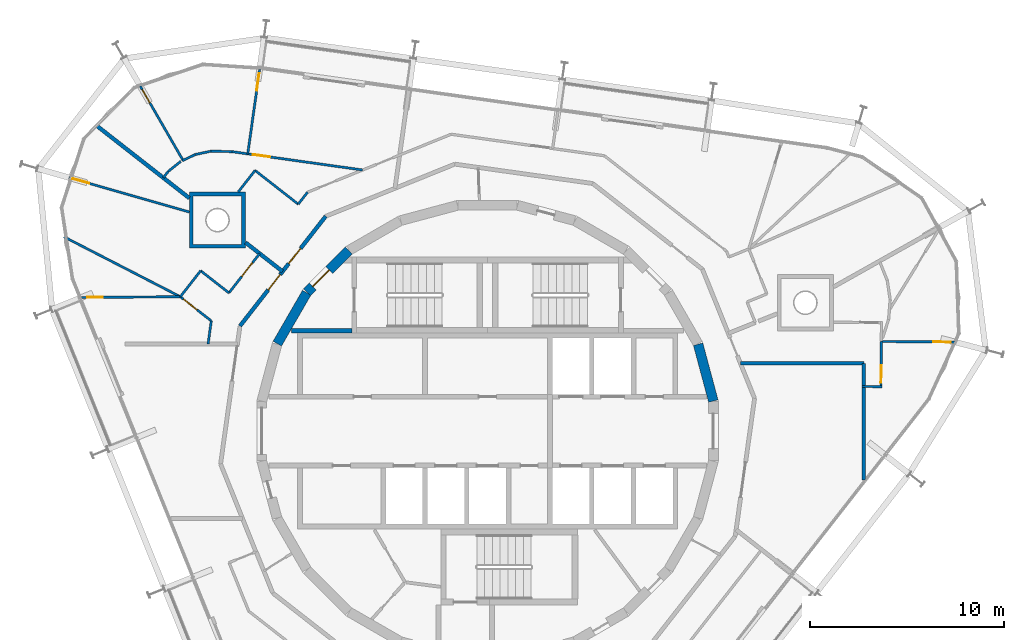
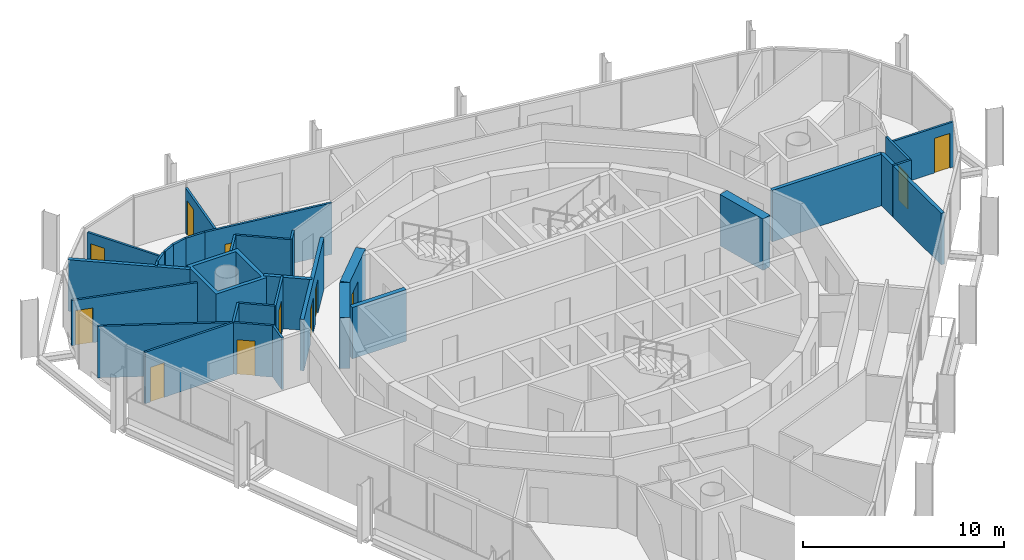
# One storey, part 12 of 15: 32 walls, 12 doors, 12 openings.
"""IFC4 building model written with IfcOpenShell, lengths in metres."""

import ifcopenshell
import ifcopenshell.guid

model = None  # the IFC model being written
_history = None  # IfcOwnerHistory: only IFC2X3 demands one
_inside = {}  # id of a spatial element -> (the spatial element, [elements in it])
_under = {}  # id of a project, library or spatial element -> (it, [spatial elements below it])
_declared = {}  # id of a project -> (the project, [libraries it declares])
_typed = {}  # id of a type object -> (the type object, [elements of that type])
_made_of = {}  # id of a material, layer set ... -> (it, [elements and type objects made of it])


def new_model(schema):
    """Start an empty IFC model of exactly this schema.

    Asked for "IFC4X3", IfcOpenShell would pick the latest addendum, in which some entities
    have other attributes; the version numbers below select the first issue.
    IFC2X3 requires an IfcOwnerHistory on every rooted entity: one is made here for all.
    """
    global model, _history
    if schema == "IFC4X3":
        model = ifcopenshell.file(schema_version=(4, 3, 0, 0))
    else:
        model = ifcopenshell.file(schema=schema)
    _inside.clear()
    _under.clear()
    _declared.clear()
    _typed.clear()
    _made_of.clear()
    _history = None
    if model.schema == "IFC2X3":
        org = make("IfcOrganization", Name="unknown")
        user = make(
            "IfcPersonAndOrganization",
            ThePerson=make("IfcPerson", FamilyName="unknown"),
            TheOrganization=org,
        )
        app = make(
            "IfcApplication",
            ApplicationDeveloper=org,
            Version="unknown",
            ApplicationFullName="unknown",
            ApplicationIdentifier="unknown",
        )
        _history = make(
            "IfcOwnerHistory",
            OwningUser=user,
            OwningApplication=app,
            ChangeAction="ADDED",
            CreationDate=0,
        )
    return model


def make(cls, **values):
    """One entity of the class cls with the attributes given. An attribute that is None is left unset."""
    return model.create_entity(
        cls, **{name: value for name, value in values.items() if value is not None}
    )


def rooted(cls, **values):
    """An entity with a GlobalId (a new one), such as an element, a storey or a relation."""
    return make(cls, GlobalId=ifcopenshell.guid.new(), OwnerHistory=_history, **values)


def si_unit(unit_type, name, prefix=None):
    """IfcSIUnit, for example si_unit("LENGTHUNIT", "METRE", prefix="MILLI")."""
    return make("IfcSIUnit", UnitType=unit_type, Prefix=prefix, Name=name)


def assignment(units):
    """IfcUnitAssignment: the units of a project."""
    return None if units is None else make("IfcUnitAssignment", Units=units)


def point(xyz):
    """IfcCartesianPoint."""
    return None if xyz is None else make("IfcCartesianPoint", Coordinates=xyz)


def direction(xyz):
    """IfcDirection."""
    return None if xyz is None else make("IfcDirection", DirectionRatios=xyz)


def frame(location, z_axis=None, x_axis=None):
    """IfcAxis2Placement3D, a coordinate frame: its origin and axes. An axis left out is left unset."""
    return make(
        "IfcAxis2Placement3D",
        Location=point(location),
        Axis=direction(z_axis),
        RefDirection=direction(x_axis),
    )


def frame_2d(location, x_axis=None):
    """IfcAxis2Placement2D, a coordinate frame in the plane: its origin and x axis."""
    return make(
        "IfcAxis2Placement2D", Location=point(location), RefDirection=direction(x_axis)
    )


def origin():
    """The frame at (0, 0, 0) with its axes left unset."""
    return frame((0.0, 0.0, 0.0))


def place(relative_to, where):
    """IfcLocalPlacement: puts the frame where relative to a parent placement (None: the world)."""
    return make(
        "IfcLocalPlacement", PlacementRelTo=relative_to, RelativePlacement=where
    )


def context(
    kind, dimensions, precision=None, world=None, true_north=None, identifier=None
):
    """IfcGeometricRepresentationContext, for example the 3D "Model" context."""
    return make(
        "IfcGeometricRepresentationContext",
        ContextIdentifier=identifier,
        ContextType=kind,
        CoordinateSpaceDimension=dimensions,
        Precision=precision,
        WorldCoordinateSystem=world,
        TrueNorth=true_north,
    )


def subcontext(parent, identifier, kind, view, scale=None):
    """IfcGeometricRepresentationSubContext, for example "Body" below "Model"."""
    return make(
        "IfcGeometricRepresentationSubContext",
        ContextIdentifier=identifier,
        ContextType=kind,
        ParentContext=parent,
        TargetScale=scale,
        TargetView=view,
    )


def project(units=None, contexts=None):
    """IfcProject with its units and contexts."""
    return rooted(
        "IfcProject",
        Name="project",
        RepresentationContexts=contexts,
        UnitsInContext=assignment(units),
    )


def spatial(cls, under=None, at=None, **own):
    """A site, building, storey or space (cls), placed at a placement, below another one or the project."""
    s = rooted(cls, ObjectPlacement=at, **own)
    if under is not None:
        _under.setdefault(under.id(), (under, []))[1].append(s)
    return s


def polyline(points):
    """IfcPolyline through the points."""
    return make("IfcPolyline", Points=[point(p) for p in points])


def profile(cls, at=None, kind="AREA", **sizes):
    """A parametric profile (cls). Its sizes go by their IFC names, for example OverallWidth=200.0."""
    return make(cls, ProfileType=kind, Position=at, **sizes)


def rectangle(**sizes):
    """IfcRectangleProfileDef."""
    return profile("IfcRectangleProfileDef", **sizes)


def outline(outer, holes=None, kind="AREA"):
    """IfcArbitraryClosedProfileDef: a profile drawn as a closed curve; with holes, ...WithVoids."""
    if holes is None:
        return make("IfcArbitraryClosedProfileDef", ProfileType=kind, OuterCurve=outer)
    return make(
        "IfcArbitraryProfileDefWithVoids",
        ProfileType=kind,
        OuterCurve=outer,
        InnerCurves=holes,
    )


def extrude(swept, where, along, depth):
    """IfcExtrudedAreaSolid: the profile swept, set in the frame where, extruded along a direction by depth."""
    return make(
        "IfcExtrudedAreaSolid",
        SweptArea=swept,
        Position=where,
        ExtrudedDirection=direction(along),
        Depth=depth,
    )


def shape(context_of_items, identifier, shape_type, items):
    """IfcShapeRepresentation: the items that make up one representation, for example the "Body"."""
    return make(
        "IfcShapeRepresentation",
        ContextOfItems=context_of_items,
        RepresentationIdentifier=identifier,
        RepresentationType=shape_type,
        Items=items,
    )


def material(Name=None, Category=None):
    """IfcMaterial."""
    return make("IfcMaterial", Name=Name, Category=Category)


def layer(
    of_material, thickness, ventilated=None, Name=None, Category=None, Priority=None
):
    """IfcMaterialLayer: one layer of a wall or slab, of a material (None: an air gap)."""
    return make(
        "IfcMaterialLayer",
        Material=of_material,
        LayerThickness=thickness,
        IsVentilated=ventilated,
        Name=Name,
        Category=Category,
        Priority=Priority,
    )


def layer_set(layers, Name=None):
    """IfcMaterialLayerSet."""
    return make("IfcMaterialLayerSet", MaterialLayers=layers, LayerSetName=Name)


def made_of(thing, what):
    """Note that an element or type object is made of a material, layer set ...; save() writes the relation."""
    if what is not None:
        _made_of.setdefault(what.id(), (what, []))[1].append(thing)
    return thing


def type_object(cls, material=None, **own):
    """A type object (cls), such as IfcWallType, which elements share."""
    return made_of(rooted(cls, **own), material)


def element(
    cls,
    number,
    at=None,
    inside=None,
    cuts=None,
    type_object=None,
    material=None,
    context=None,
    identifier="Body",
    shape_type=None,
    held_by="IfcProductDefinitionShape",
    body=None,
    shapes=None,
    **own,
):
    """One element of the class cls, such as IfcWall. Its Tag is "e" and its number.

    at: its placement. inside: the storey or other place that contains it. cuts: it is an
    opening in that element (IfcRelVoidsElement). A single representation is given by context,
    identifier, shape_type and body (its items); several are given by shapes. held_by: the class
    of the entity that holds the representations. save() writes the other relations.
    """
    e = rooted(cls, Tag="e%d" % number, ObjectPlacement=at, **own)
    if body is not None:
        shapes = [shape(context, identifier, shape_type, body)]
    if shapes is not None:
        e.Representation = make(held_by, Representations=shapes)
    if inside is not None:
        _inside.setdefault(inside.id(), (inside, []))[1].append(e)
    if cuts is not None:
        rooted(
            "IfcRelVoidsElement", RelatingBuildingElement=cuts, RelatedOpeningElement=e
        )
    if type_object is not None:
        _typed.setdefault(type_object.id(), (type_object, []))[1].append(e)
    return made_of(e, material)


def fill(opening, filler):
    """IfcRelFillsElement: the door or window that sits in an opening."""
    return rooted(
        "IfcRelFillsElement",
        RelatingOpeningElement=opening,
        RelatedBuildingElement=filler,
    )


def aggregate(whole, parts):
    """IfcRelAggregates: a whole, such as a stair, and the parts it consists of."""
    return rooted("IfcRelAggregates", RelatingObject=whole, RelatedObjects=parts)


def save(model, path):
    """Write the relations noted so far, then the file.

    IfcRelAggregates (storeys below a building ...), IfcRelContainedInSpatialStructure (elements
    in a storey), IfcRelDefinesByType, IfcRelAssociatesMaterial and IfcRelDeclares: one each for
    every whole, place, type object, material and project.
    """
    for whole, parts in _under.values():
        aggregate(whole, parts)
    for where, things in _inside.values():
        rooted(
            "IfcRelContainedInSpatialStructure",
            RelatedElements=things,
            RelatingStructure=where,
        )
    for kind, things in _typed.values():
        rooted("IfcRelDefinesByType", RelatedObjects=things, RelatingType=kind)
    for what, things in _made_of.values():
        rooted("IfcRelAssociatesMaterial", RelatedObjects=things, RelatingMaterial=what)
    for by, libraries in _declared.values():
        rooted("IfcRelDeclares", RelatingContext=by, RelatedDefinitions=libraries)
    model.write(path)


model = new_model("IFC4")

# Units and contexts
model_context = context("Model", 3, precision=1e-05, world=origin(), true_north=direction((0.0, 1.0)))
body_context = subcontext(model_context, "Body", "Model", "MODEL_VIEW")
ifc_project = project(units=[si_unit("LENGTHUNIT", "METRE"), si_unit("AREAUNIT", "SQUARE_METRE"), si_unit("VOLUMEUNIT", "CUBIC_METRE"), si_unit("PLANEANGLEUNIT", "RADIAN"), si_unit("MASSUNIT", "GRAM", prefix="KILO")], contexts=[model_context])

# Site, building, storey
site_placement = place(None, origin())
site = spatial("IfcSite", under=ifc_project, at=site_placement, CompositionType="ELEMENT")
building_placement = place(site_placement, origin())
building = spatial("IfcBuilding", under=site, at=building_placement, Name="Spindle Arch Residences", CompositionType="ELEMENT")
storey_placement = place(building_placement, frame((0.0, 0.0, 336.5)))
storey = spatial("IfcBuildingStorey", under=building, at=storey_placement, Name="L86", CompositionType="ELEMENT", Elevation=336.5)

# Wall
ifc_material_1 = material(Name="Concrete C50/60", Category="concrete")
ifc_layer_1 = layer(ifc_material_1, 0.5)
ifc_layer_set_1 = layer_set([ifc_layer_1], Name="Core outline wall 500")
wall_type_1 = type_object("IfcWallType", Name="Core outline wall 500", PredefinedType="SHEAR", material=ifc_layer_set_1)
wall_1_placement = place(storey_placement, frame((11.642822265625, 1.5498046875, 0.0), z_axis=(0.0, 0.0, 1.0), x_axis=(-0.258734743916, 0.965948410781, 0.0)))
element("IfcWall", 1, at=wall_1_placement, inside=storey, type_object=wall_type_1, Name="Core outline wall 7", PredefinedType="SHEAR", context=body_context, shape_type="SweptSolid", body=[
    extrude(rectangle(XDim=3.03271484375, YDim=0.5, at=frame_2d((1.516357421875, 0.0))), origin(), (0.0, 0.0, 1.0), 3.1201171875),
])

# Wall, opening, door
wall_2_placement = place(storey_placement, frame((-7.163818359375, 9.30810546875, 0.0), z_axis=(0.0, 0.0, 1.0), x_axis=(-0.707106781187, -0.707106781187, 0.0)))
wall_2 = element("IfcWall", 2, at=wall_2_placement, inside=storey, type_object=wall_type_1, Name="Core outline wall 15", PredefinedType="SHEAR", context=body_context, shape_type="SweptSolid", body=[
    extrude(rectangle(XDim=3.032470703125, YDim=0.5, at=frame_2d((1.51611328125, 0.0))), origin(), (0.0, 0.0, 1.0), 3.1201171875),
])
opening_1_placement = place(wall_2_placement, frame((1.416259765625, 0.0, 0.0)))
opening_1 = element("IfcOpeningElement", 3, at=opening_1_placement, cuts=wall_2, Name="Opening R9A1-AD02", PredefinedType="OPENING", context=body_context, shape_type="SweptSolid", body=[
    extrude(rectangle(XDim=1.199951171875, YDim=2.10009765625, at=frame_2d((0.60009765625, 1.050048828125))), frame((0.0, 0.260009765625, 0.0), z_axis=(0.0, -1.0, 0.0), x_axis=(1.0, 0.0, 0.0)), (0.0, 0.0, 1.0), 0.52001953125),
])
ifc_material_2 = material(Name="Steel, fire-resisting door", Category="steel")
door_type_1 = type_object("IfcDoorType", Name="Stair airlock door 1200x2100", OperationType="SINGLE_SWING_LEFT", PredefinedType="DOOR", material=ifc_material_2)
door_1_placement = place(opening_1_placement, origin())
door_1 = element("IfcDoor", 4, at=door_1_placement, inside=storey, type_object=door_type_1, Name="Stair airlock door R9A1-AD02", OperationType="SINGLE_SWING_RIGHT", OverallHeight=2.10009765625, OverallWidth=1.199951171875, PredefinedType="DOOR", context=body_context, shape_type="SweptSolid", body=[
    extrude(rectangle(XDim=1.199951171875, YDim=2.10009765625, at=frame_2d((0.60009765625, 1.050048828125))), frame((0.0, 0.02490234375, 0.0), z_axis=(0.0, -1.0, 0.0), x_axis=(1.0, 0.0, 0.0)), (0.0, 0.0, 1.0), 0.050048828125),
])
fill(opening_1, door_1)

# Wall
wall_3_placement = place(storey_placement, frame((-9.32861328125, 7.13671875, 0.0), z_axis=(0.0, 0.0, 1.0), x_axis=(-0.500087131594, -0.865975092491, 0.0)))
element("IfcWall", 5, at=wall_3_placement, inside=storey, type_object=wall_type_1, Name="Core outline wall 16", PredefinedType="SHEAR", context=body_context, shape_type="SweptSolid", body=[
    extrude(rectangle(XDim=3.03271484375, YDim=0.5, at=frame_2d((1.516357421875, 0.0))), origin(), (0.0, 0.0, 1.0), 3.1201171875),
])

# Wall, openings, doors
ifc_material_3 = material(Name="Calcium silicate block, plastered")
ifc_layer_2 = layer(ifc_material_3, 0.199951171875)
ifc_layer_set_2 = layer_set([ifc_layer_2], Name="Corridor wall 200")
wall_type_2 = type_object("IfcWallType", Name="Corridor wall 200", PredefinedType="STANDARD", material=ifc_layer_set_2)
wall_4_placement = place(storey_placement, frame((-8.348876953125, 11.0791015625, 0.0), z_axis=(0.0, 0.0, 1.0), x_axis=(-0.615669112324, -0.78800478687, 0.0)))
wall_4 = element("IfcWall", 6, at=wall_4_placement, inside=storey, type_object=wall_type_2, Name="Corridor wall R9A1-W012", PredefinedType="STANDARD", context=body_context, shape_type="SweptSolid", body=[
    extrude(rectangle(XDim=7.18115234375, YDim=0.199951171875, at=frame_2d((3.590576171875, 0.0))), origin(), (0.0, 0.0, 1.0), 3.1201171875),
])
opening_2_placement = place(wall_4_placement, frame((2.10009765625, 0.0, 0.0)))
opening_2 = element("IfcOpeningElement", 7, at=opening_2_placement, cuts=wall_4, Name="Opening R9A1-FD03", PredefinedType="OPENING", context=body_context, shape_type="SweptSolid", body=[
    extrude(rectangle(XDim=1.0, YDim=2.10009765625, at=frame_2d((0.5, 1.050048828125))), frame((0.0, 0.10986328125, 0.0), z_axis=(0.0, -1.0, 0.0), x_axis=(1.0, 0.0, 0.0)), (0.0, 0.0, 1.0), 0.219970703125),
])
opening_3_placement = place(wall_4_placement, frame((3.811279296875, 0.0, 0.0)))
opening_3 = element("IfcOpeningElement", 8, at=opening_3_placement, cuts=wall_4, Name="Opening R9A1-FD04", PredefinedType="OPENING", context=body_context, shape_type="SweptSolid", body=[
    extrude(rectangle(XDim=1.0, YDim=2.10009765625, at=frame_2d((0.5, 1.050048828125))), frame((0.0, 0.10986328125, 0.0), z_axis=(0.0, -1.0, 0.0), x_axis=(1.0, 0.0, 0.0)), (0.0, 0.0, 1.0), 0.219970703125),
])
ifc_material_4 = material(Name="Timber, fire-resisting door set", Category="wood")
door_type_2 = type_object("IfcDoorType", Name="Flat entrance door 1000x2100", OperationType="NOTDEFINED", PredefinedType="DOOR", material=ifc_material_4)
door_2_placement = place(opening_2_placement, origin())
door_2 = element("IfcDoor", 9, at=door_2_placement, inside=storey, type_object=door_type_2, Name="Flat entrance door R9A1-FD03", OperationType="SINGLE_SWING_RIGHT", OverallHeight=2.10009765625, OverallWidth=1.0, PredefinedType="DOOR", context=body_context, shape_type="SweptSolid", body=[
    extrude(rectangle(XDim=1.0, YDim=2.10009765625, at=frame_2d((0.5, 1.050048828125))), frame((0.0, 0.02490234375, 0.0), z_axis=(0.0, -1.0, 0.0), x_axis=(1.0, 0.0, 0.0)), (0.0, 0.0, 1.0), 0.050048828125),
])
fill(opening_2, door_2)
door_3_placement = place(opening_3_placement, origin())
door_3 = element("IfcDoor", 10, at=door_3_placement, inside=storey, type_object=door_type_2, Name="Flat entrance door R9A1-FD04", OperationType="SINGLE_SWING_LEFT", OverallHeight=2.10009765625, OverallWidth=1.0, PredefinedType="DOOR", context=body_context, shape_type="SweptSolid", body=[
    extrude(rectangle(XDim=1.0, YDim=2.10009765625, at=frame_2d((0.5, 1.050048828125))), frame((0.0, 0.02490234375, 0.0), z_axis=(0.0, -1.0, 0.0), x_axis=(1.0, 0.0, 0.0)), (0.0, 0.0, 1.0), 0.050048828125),
])
fill(opening_3, door_3)

# Walls
ifc_material_5 = material(Name="Calcium silicate block, plastered")
ifc_layer_3 = layer(ifc_material_5, 0.199951171875)
ifc_layer_set_3 = layer_set([ifc_layer_3], Name="Fire-lift lobby bay wall 200")
wall_type_3 = type_object("IfcWallType", Name="Fire-lift lobby bay wall 200", PredefinedType="STANDARD", material=ifc_layer_set_3)
wall_5_placement = place(storey_placement, frame((19.39990234375, -2.519287109375, 0.0), z_axis=(0.0, 0.0, 1.0), x_axis=(0.0, 1.0, 0.0)))
element("IfcWall", 11, at=wall_5_placement, inside=storey, type_object=wall_type_3, Name="Fire-lift lobby bay wall R9A1-W019", PredefinedType="STANDARD", context=body_context, shape_type="SweptSolid", body=[
    extrude(rectangle(XDim=6.019287109375, YDim=0.199951171875, at=frame_2d((3.009765625, 0.0))), origin(), (0.0, 0.0, 1.0), 3.1201171875),
])
wall_6_placement = place(storey_placement, frame((19.39990234375, 3.5, 0.0), z_axis=(0.0, 0.0, 1.0), x_axis=(-1.0, 0.0, 0.0)))
element("IfcWall", 12, at=wall_6_placement, inside=storey, type_object=wall_type_3, Name="Fire-lift lobby bay wall R9A1-W020", PredefinedType="STANDARD", context=body_context, shape_type="SweptSolid", body=[
    extrude(rectangle(XDim=6.361572265625, YDim=0.199951171875, at=frame_2d((3.1806640625, 0.0))), origin(), (0.0, 0.0, 1.0), 3.1201171875),
])
ifc_material_6 = material(Name="Plasterboard on steel studs", Category="steel")
ifc_layer_4 = layer(ifc_material_6, 0.1201171875)
ifc_layer_set_4 = layer_set([ifc_layer_4], Name="Flat partition 120")
wall_type_4 = type_object("IfcWallType", Name="Flat partition 120", PredefinedType="PARTITIONING", material=ifc_layer_set_4)
wall_7_placement = place(storey_placement, frame((19.300048828125, 2.302001953125, 0.0), z_axis=(0.0, 0.0, 1.0), x_axis=(0.999958506341, -0.009109643015, 0.0)))
element("IfcWall", 13, at=wall_7_placement, inside=storey, type_object=wall_type_4, Name="Flat partition R9A1-W030", PredefinedType="PARTITIONING", context=body_context, shape_type="SweptSolid", body=[
    extrude(rectangle(XDim=1.045166015625, YDim=0.1201171875, at=frame_2d((0.5224609375, 0.0))), origin(), (0.0, 0.0, 1.0), 3.1201171875),
])

# Wall, opening, door
wall_8_placement = place(storey_placement, frame((20.285400390625, 2.29296875, 0.0), z_axis=(0.0, 0.0, 1.0), x_axis=(0.008900171034, 0.999960392693, 0.0)))
wall_8 = element("IfcWall", 14, at=wall_8_placement, inside=storey, type_object=wall_type_4, Name="Flat partition R9A1-W031", PredefinedType="PARTITIONING", context=body_context, shape_type="SweptSolid", body=[
    extrude(rectangle(XDim=2.33154296875, YDim=0.1201171875, at=frame_2d((1.165771484375, 0.0))), origin(), (0.0, 0.0, 1.0), 3.1201171875),
])
opening_4_placement = place(wall_8_placement, frame((0.199951171875, 0.0, 0.0)))
opening_4 = element("IfcOpeningElement", 15, at=opening_4_placement, cuts=wall_8, Name="Opening R9A1-ID01", PredefinedType="OPENING", context=body_context, shape_type="SweptSolid", body=[
    extrude(rectangle(XDim=0.89990234375, YDim=2.10009765625, at=frame_2d((0.449951171875, 1.050048828125))), frame((0.0, 0.070068359375, 0.0), z_axis=(0.0, -1.0, 0.0), x_axis=(1.0, 0.0, 0.0)), (0.0, 0.0, 1.0), 0.14013671875),
])
ifc_material_7 = material(Name="Timber door set", Category="wood")
door_type_3 = type_object("IfcDoorType", Name="Room door 900x2100", OperationType="NOTDEFINED", PredefinedType="DOOR", material=ifc_material_7)
door_4_placement = place(opening_4_placement, origin())
door_4 = element("IfcDoor", 16, at=door_4_placement, inside=storey, type_object=door_type_3, Name="Room door R9A1-ID01", OperationType="SINGLE_SWING_RIGHT", OverallHeight=2.10009765625, OverallWidth=0.89990234375, PredefinedType="DOOR", context=body_context, shape_type="SweptSolid", body=[
    extrude(rectangle(XDim=0.89990234375, YDim=2.10009765625, at=frame_2d((0.449951171875, 1.050048828125))), frame((0.0, 0.02490234375, 0.0), z_axis=(0.0, -1.0, 0.0), x_axis=(1.0, 0.0, 0.0)), (0.0, 0.0, 1.0), 0.050048828125),
])
fill(opening_4, door_4)

# Walls
wall_9_placement = place(storey_placement, frame((-9.283447265625, 12.3193359375, 0.0), z_axis=(0.0, 0.0, 1.0), x_axis=(-0.615735018346, -0.787953289975, 0.0)))
element("IfcWall", 17, at=wall_9_placement, inside=storey, type_object=wall_type_4, Name="Flat partition R9A1-W052", PredefinedType="PARTITIONING", context=body_context, shape_type="SweptSolid", body=[
    extrude(rectangle(XDim=0.781005859375, YDim=0.1201171875, at=frame_2d((0.390625, 0.0))), origin(), (0.0, 0.0, 1.0), 3.1201171875),
])
wall_10_placement = place(storey_placement, frame((-9.764404296875, 11.703857421875, 0.0), z_axis=(0.0, 0.0, 1.0), x_axis=(-0.787996873396, 0.615679240772, 0.0)))
element("IfcWall", 18, at=wall_10_placement, inside=storey, type_object=wall_type_4, Name="Flat partition R9A1-W053", PredefinedType="PARTITIONING", context=body_context, shape_type="SweptSolid", body=[
    extrude(rectangle(XDim=2.826416015625, YDim=0.1201171875, at=frame_2d((1.4130859375, 0.0))), origin(), (0.0, 0.0, 1.0), 3.1201171875),
])
wall_11_placement = place(storey_placement, frame((-11.99169921875, 13.444091796875, 0.0), z_axis=(0.0, 0.0, 1.0), x_axis=(-0.615593635541, -0.788063751153, 0.0)))
element("IfcWall", 19, at=wall_11_placement, inside=storey, type_object=wall_type_4, Name="Flat partition R9A1-W054", PredefinedType="PARTITIONING", context=body_context, shape_type="SweptSolid", body=[
    extrude(rectangle(XDim=1.409912109375, YDim=0.1201171875, at=frame_2d((0.705078125, 0.0))), origin(), (0.0, 0.0, 1.0), 3.1201171875),
])

# Wall, opening, door
wall_12_placement = place(storey_placement, frame((-13.1748046875, 14.412353515625, 0.0), z_axis=(0.0, 0.0, 1.0), x_axis=(0.990264549393, -0.139198140128, 0.0)))
wall_12 = element("IfcWall", 20, at=wall_12_placement, inside=storey, type_object=wall_type_4, Name="Flat partition R9A1-W056", PredefinedType="PARTITIONING", context=body_context, shape_type="SweptSolid", body=[
    extrude(rectangle(XDim=6.79638671875, YDim=0.1201171875, at=frame_2d((3.398193359375, 0.0))), origin(), (0.0, 0.0, 1.0), 3.1201171875),
])
opening_5_placement = place(wall_12_placement, frame((1.075439453125, 0.0, 0.0)))
opening_5 = element("IfcOpeningElement", 21, at=opening_5_placement, cuts=wall_12, Name="Opening R9A1-ID11", PredefinedType="OPENING", context=body_context, shape_type="SweptSolid", body=[
    extrude(rectangle(XDim=0.89990234375, YDim=2.10009765625, at=frame_2d((0.449951171875, 1.050048828125))), frame((0.0, 0.070068359375, 0.0), z_axis=(0.0, -1.0, 0.0), x_axis=(1.0, 0.0, 0.0)), (0.0, 0.0, 1.0), 0.14013671875),
])
door_5_placement = place(opening_5_placement, origin())
door_5 = element("IfcDoor", 22, at=door_5_placement, inside=storey, type_object=door_type_3, Name="Room door R9A1-ID11", OperationType="SINGLE_SWING_LEFT", OverallHeight=2.10009765625, OverallWidth=0.89990234375, PredefinedType="DOOR", context=body_context, shape_type="SweptSolid", body=[
    extrude(rectangle(XDim=0.89990234375, YDim=2.10009765625, at=frame_2d((0.449951171875, 1.050048828125))), frame((0.0, 0.02490234375, 0.0), z_axis=(0.0, -1.0, 0.0), x_axis=(1.0, 0.0, 0.0)), (0.0, 0.0, 1.0), 0.050048828125),
])
fill(opening_5, door_5)

# Walls
wall_13_placement = place(storey_placement, frame((-15.7431640625, 13.947509765625, 0.0), z_axis=(0.0, 0.0, 1.0), x_axis=(0.903885078158, 0.427775368019, 0.0)))
element("IfcWall", 23, at=wall_13_placement, inside=storey, type_object=wall_type_4, Name="Flat partition R9A1-W057", PredefinedType="PARTITIONING", context=body_context, shape_type="SweptSolid", body=[
    extrude(rectangle(XDim=0.742431640625, YDim=0.1201171875, at=frame_2d((0.37109375, 0.0))), origin(), (0.0, 0.0, 1.0), 3.1201171875),
])
wall_14_placement = place(storey_placement, frame((-15.072021484375, 14.26513671875, 0.0), z_axis=(0.0, 0.0, 1.0), x_axis=(0.978141630921, 0.207939774595, 0.0)))
element("IfcWall", 24, at=wall_14_placement, inside=storey, type_object=wall_type_4, Name="Flat partition R9A1-W058", PredefinedType="PARTITIONING", context=body_context, shape_type="SweptSolid", body=[
    extrude(rectangle(XDim=0.828857421875, YDim=0.1201171875, at=frame_2d((0.41455078125, 0.0))), origin(), (0.0, 0.0, 1.0), 3.1201171875),
])
wall_15_placement = place(storey_placement, frame((-14.26123046875, 14.4375, 0.0), z_axis=(0.0, 0.0, 1.0), x_axis=(0.999732237365, -0.023139869764, 0.0)))
element("IfcWall", 25, at=wall_15_placement, inside=storey, type_object=wall_type_4, Name="Flat partition R9A1-W059", PredefinedType="PARTITIONING", context=body_context, shape_type="SweptSolid", body=[
    extrude(rectangle(XDim=1.086669921875, YDim=0.1201171875, at=frame_2d((0.54345703125, 0.0))), origin(), (0.0, 0.0, 1.0), 3.1201171875),
])
wall_16_placement = place(storey_placement, frame((-15.8212890625, 13.910400390625, 0.0), z_axis=(0.0, 0.0, 1.0), x_axis=(-0.780840072472, -0.624730967074, 0.0)))
element("IfcWall", 26, at=wall_16_placement, inside=storey, type_object=wall_type_4, Name="Flat partition R9A1-W061", PredefinedType="PARTITIONING", context=body_context, shape_type="SweptSolid", body=[
    extrude(rectangle(XDim=0.828857421875, YDim=0.1201171875, at=frame_2d((0.41455078125, 0.0))), origin(), (0.0, 0.0, 1.0), 3.1201171875),
])
wall_17_placement = place(storey_placement, frame((-16.468505859375, 13.392578125, 0.0), z_axis=(0.0, 0.0, 1.0), x_axis=(-0.615815563257, -0.787890342656, 0.0)))
element("IfcWall", 27, at=wall_17_placement, inside=storey, type_object=wall_type_4, Name="Flat partition R9A1-W062", PredefinedType="PARTITIONING", context=body_context, shape_type="SweptSolid", body=[
    extrude(rectangle(XDim=0.414306640625, YDim=0.1201171875, at=frame_2d((0.20703125, 0.0))), origin(), (0.0, 0.0, 1.0), 3.1201171875),
])

# Wall, opening, door
wall_18_placement = place(storey_placement, frame((-11.75439453125, 9.156982421875, 0.0), z_axis=(0.0, 0.0, 1.0), x_axis=(-0.615568539365, -0.788083354312, 0.0)))
wall_18 = element("IfcWall", 28, at=wall_18_placement, inside=storey, type_object=wall_type_4, Name="Flat partition R9A1-W063", PredefinedType="PARTITIONING", context=body_context, shape_type="SweptSolid", body=[
    extrude(rectangle(XDim=2.57275390625, YDim=0.1201171875, at=frame_2d((1.286376953125, 0.0))), origin(), (0.0, 0.0, 1.0), 3.1201171875),
])
opening_6_placement = place(wall_18_placement, frame((0.60009765625, 0.0, 0.0)))
opening_6 = element("IfcOpeningElement", 29, at=opening_6_placement, cuts=wall_18, Name="Opening R9A1-ID12", PredefinedType="OPENING", context=body_context, shape_type="SweptSolid", body=[
    extrude(rectangle(XDim=0.89990234375, YDim=2.10009765625, at=frame_2d((0.449951171875, 1.050048828125))), frame((0.0, 0.070068359375, 0.0), z_axis=(0.0, -1.0, 0.0), x_axis=(1.0, 0.0, 0.0)), (0.0, 0.0, 1.0), 0.14013671875),
])
door_6_placement = place(opening_6_placement, origin())
door_6 = element("IfcDoor", 30, at=door_6_placement, inside=storey, type_object=door_type_3, Name="Room door R9A1-ID12", OperationType="SINGLE_SWING_LEFT", OverallHeight=2.10009765625, OverallWidth=0.89990234375, PredefinedType="DOOR", context=body_context, shape_type="SweptSolid", body=[
    extrude(rectangle(XDim=0.89990234375, YDim=2.10009765625, at=frame_2d((0.449951171875, 1.050048828125))), frame((0.0, 0.02490234375, 0.0), z_axis=(0.0, -1.0, 0.0), x_axis=(1.0, 0.0, 0.0)), (0.0, 0.0, 1.0), 0.050048828125),
])
fill(opening_6, door_6)

# Walls
wall_19_placement = place(storey_placement, frame((-13.338134765625, 7.12939453125, 0.0), z_axis=(0.0, 0.0, 1.0), x_axis=(-0.787938483233, 0.615753965997, 0.0)))
element("IfcWall", 31, at=wall_19_placement, inside=storey, type_object=wall_type_4, Name="Flat partition R9A1-W064", PredefinedType="PARTITIONING", context=body_context, shape_type="SweptSolid", body=[
    extrude(rectangle(XDim=1.853271484375, YDim=0.1201171875, at=frame_2d((0.9267578125, 0.0))), origin(), (0.0, 0.0, 1.0), 3.1201171875),
])
wall_20_placement = place(storey_placement, frame((-14.79833984375, 8.2705078125, 0.0), z_axis=(0.0, 0.0, 1.0), x_axis=(-0.615669123866, -0.788004777852, 0.0)))
element("IfcWall", 32, at=wall_20_placement, inside=storey, type_object=wall_type_4, Name="Flat partition R9A1-W065", PredefinedType="PARTITIONING", context=body_context, shape_type="SweptSolid", body=[
    extrude(rectangle(XDim=1.699951171875, YDim=0.1201171875, at=frame_2d((0.85009765625, 0.0))), origin(), (0.0, 0.0, 1.0), 3.1201171875),
])

# Wall, opening, door
wall_21_placement = place(storey_placement, frame((-15.844970703125, 6.930908203125, 0.0), z_axis=(0.0, 0.0, 1.0), x_axis=(0.787962283792, -0.615723508827, 0.0)))
wall_21 = element("IfcWall", 33, at=wall_21_placement, inside=storey, type_object=wall_type_4, Name="Flat partition R9A1-W066", PredefinedType="PARTITIONING", context=body_context, shape_type="SweptSolid", body=[
    extrude(rectangle(XDim=2.02685546875, YDim=0.1201171875, at=frame_2d((1.013427734375, 0.0))), origin(), (0.0, 0.0, 1.0), 3.1201171875),
])
opening_7_placement = place(wall_21_placement, frame((0.199951171875, 0.0, 0.0)))
opening_7 = element("IfcOpeningElement", 34, at=opening_7_placement, cuts=wall_21, Name="Opening R9A1-ID13", PredefinedType="OPENING", context=body_context, shape_type="SweptSolid", body=[
    extrude(rectangle(XDim=0.89990234375, YDim=2.10009765625, at=frame_2d((0.449951171875, 1.050048828125))), frame((0.0, 0.070068359375, 0.0), z_axis=(0.0, -1.0, 0.0), x_axis=(1.0, 0.0, 0.0)), (0.0, 0.0, 1.0), 0.14013671875),
])
door_7_placement = place(opening_7_placement, origin())
door_7 = element("IfcDoor", 35, at=door_7_placement, inside=storey, type_object=door_type_3, Name="Room door R9A1-ID13", OperationType="SINGLE_SWING_LEFT", OverallHeight=2.10009765625, OverallWidth=0.89990234375, PredefinedType="DOOR", context=body_context, shape_type="SweptSolid", body=[
    extrude(rectangle(XDim=0.89990234375, YDim=2.10009765625, at=frame_2d((0.449951171875, 1.050048828125))), frame((0.0, 0.02490234375, 0.0), z_axis=(0.0, -1.0, 0.0), x_axis=(1.0, 0.0, 0.0)), (0.0, 0.0, 1.0), 0.050048828125),
])
fill(opening_7, door_7)

# Walls
wall_22_placement = place(storey_placement, frame((-14.247802734375, 5.682861328125, 0.0), z_axis=(0.0, 0.0, 1.0), x_axis=(-0.139189066398, -0.990265824814, 0.0)))
element("IfcWall", 36, at=wall_22_placement, inside=storey, type_object=wall_type_4, Name="Flat partition R9A1-W067", PredefinedType="PARTITIONING", context=body_context, shape_type="SweptSolid", body=[
    extrude(rectangle(XDim=1.194580078125, YDim=0.1201171875, at=frame_2d((0.59716796875, 0.0))), origin(), (0.0, 0.0, 1.0), 3.1201171875),
])
wall_23_placement = place(storey_placement, frame((-21.85009765625, 10.021484375, 0.0), z_axis=(0.0, 0.0, 1.0), x_axis=(0.889153763622, -0.457608549567, 0.0)))
element("IfcWall", 37, at=wall_23_placement, inside=storey, type_object=wall_type_4, Name="Flat partition R9A1-W069", PredefinedType="PARTITIONING", context=body_context, shape_type="SweptSolid", body=[
    extrude(rectangle(XDim=6.753662109375, YDim=0.1201171875, at=frame_2d((3.376953125, 0.0))), origin(), (0.0, 0.0, 1.0), 3.1201171875),
])

# Wall, opening, door
wall_24_placement = place(storey_placement, frame((-20.945556640625, 6.892333984375, 0.0), z_axis=(0.0, 0.0, 1.0), x_axis=(0.999971403985, 0.007562487164, 0.0)))
wall_24 = element("IfcWall", 38, at=wall_24_placement, inside=storey, type_object=wall_type_4, Name="Flat partition R9A1-W070", PredefinedType="PARTITIONING", context=body_context, shape_type="SweptSolid", body=[
    extrude(rectangle(XDim=5.100830078125, YDim=0.1201171875, at=frame_2d((2.55029296875, 0.0))), origin(), (0.0, 0.0, 1.0), 3.1201171875),
])
opening_8_placement = place(wall_24_placement, frame((0.300048828125, 0.0, 0.0)))
opening_8 = element("IfcOpeningElement", 39, at=opening_8_placement, cuts=wall_24, Name="Opening R9A1-BD04", PredefinedType="OPENING", context=body_context, shape_type="SweptSolid", body=[
    extrude(rectangle(XDim=0.800048828125, YDim=2.10009765625, at=frame_2d((0.39990234375, 1.050048828125))), frame((0.0, 0.070068359375, 0.0), z_axis=(0.0, -1.0, 0.0), x_axis=(1.0, 0.0, 0.0)), (0.0, 0.0, 1.0), 0.14013671875),
])
ifc_material_8 = material(Name="Timber door set", Category="wood")
door_type_4 = type_object("IfcDoorType", Name="Bathroom door 800x2100", OperationType="NOTDEFINED", PredefinedType="DOOR", material=ifc_material_8)
door_8_placement = place(opening_8_placement, origin())
door_8 = element("IfcDoor", 40, at=door_8_placement, inside=storey, type_object=door_type_4, Name="Bathroom door R9A1-BD04", OperationType="SINGLE_SWING_LEFT", OverallHeight=2.10009765625, OverallWidth=0.800048828125, PredefinedType="DOOR", context=body_context, shape_type="SweptSolid", body=[
    extrude(rectangle(XDim=0.800048828125, YDim=2.10009765625, at=frame_2d((0.39990234375, 1.050048828125))), frame((0.0, 0.02490234375, 0.0), z_axis=(0.0, -1.0, 0.0), x_axis=(1.0, 0.0, 0.0)), (0.0, 0.0, 1.0), 0.050048828125),
])
fill(opening_8, door_8)

ifc_material_9 = material(Name="Plasterboard on steel studs", Category="steel")
ifc_layer_5 = layer(ifc_material_9, 0.1201171875)
ifc_layer_set_5 = layer_set([ifc_layer_5], Name="Flat partition 120 under beam 2730")
wall_type_5 = type_object("IfcWallType", Name="Flat partition 120 under beam 2730", PredefinedType="PARTITIONING", material=ifc_layer_set_5)
wall_25_placement = place(storey_placement, frame((24.084716796875, 4.5908203125, 0.0), z_axis=(0.0, 0.0, 1.0), x_axis=(-0.99996025077, 0.008916102255, 0.0)))
wall_25 = element("IfcWall", 41, at=wall_25_placement, inside=storey, type_object=wall_type_5, Name="Flat partition R9A1-W034", PredefinedType="PARTITIONING", context=body_context, shape_type="SweptSolid", body=[
    extrude(rectangle(XDim=3.77880859375, YDim=0.1201171875, at=frame_2d((1.889404296875, 0.0))), origin(), (0.0, 0.0, 1.0), 2.72998046875),
])
opening_9_placement = place(wall_25_placement, frame((0.199951171875, 0.0, 0.0)))
opening_9 = element("IfcOpeningElement", 42, at=opening_9_placement, cuts=wall_25, Name="Opening R9A1-ID03", PredefinedType="OPENING", context=body_context, shape_type="SweptSolid", body=[
    extrude(rectangle(XDim=0.89990234375, YDim=2.10009765625, at=frame_2d((0.449951171875, 1.050048828125))), frame((0.0, 0.070068359375, 0.0), z_axis=(0.0, -1.0, 0.0), x_axis=(1.0, 0.0, 0.0)), (0.0, 0.0, 1.0), 0.14013671875),
])
door_9_placement = place(opening_9_placement, origin())
door_9 = element("IfcDoor", 43, at=door_9_placement, inside=storey, type_object=door_type_3, Name="Room door R9A1-ID03", OperationType="SINGLE_SWING_RIGHT", OverallHeight=2.10009765625, OverallWidth=0.89990234375, PredefinedType="DOOR", context=body_context, shape_type="SweptSolid", body=[
    extrude(rectangle(XDim=0.89990234375, YDim=2.10009765625, at=frame_2d((0.449951171875, 1.050048828125))), frame((0.0, 0.02490234375, 0.0), z_axis=(0.0, -1.0, 0.0), x_axis=(1.0, 0.0, 0.0)), (0.0, 0.0, 1.0), 0.050048828125),
])
fill(opening_9, door_9)

wall_26_placement = place(storey_placement, frame((-11.7548828125, 18.656005859375, 0.0), z_axis=(0.0, 0.0, 1.0), x_axis=(-0.13916046232, -0.990269844904, 0.0)))
wall_26 = element("IfcWall", 44, at=wall_26_placement, inside=storey, type_object=wall_type_5, Name="Flat partition R9A1-W055", PredefinedType="PARTITIONING", context=body_context, shape_type="SweptSolid", body=[
    extrude(rectangle(XDim=4.39990234375, YDim=0.1201171875, at=frame_2d((2.199951171875, 0.0))), origin(), (0.0, 0.0, 1.0), 2.72998046875),
])
opening_10_placement = place(wall_26_placement, frame((0.199951171875, 0.0, 0.0)))
opening_10 = element("IfcOpeningElement", 45, at=opening_10_placement, cuts=wall_26, Name="Opening R9A1-ID10", PredefinedType="OPENING", context=body_context, shape_type="SweptSolid", body=[
    extrude(rectangle(XDim=0.89990234375, YDim=2.10009765625, at=frame_2d((0.449951171875, 1.050048828125))), frame((0.0, 0.070068359375, 0.0), z_axis=(0.0, -1.0, 0.0), x_axis=(1.0, 0.0, 0.0)), (0.0, 0.0, 1.0), 0.14013671875),
])
door_10_placement = place(opening_10_placement, origin())
door_10 = element("IfcDoor", 46, at=door_10_placement, inside=storey, type_object=door_type_3, Name="Room door R9A1-ID10", OperationType="SINGLE_SWING_RIGHT", OverallHeight=2.10009765625, OverallWidth=0.89990234375, PredefinedType="DOOR", context=body_context, shape_type="SweptSolid", body=[
    extrude(rectangle(XDim=0.89990234375, YDim=2.10009765625, at=frame_2d((0.449951171875, 1.050048828125))), frame((0.0, 0.02490234375, 0.0), z_axis=(0.0, -1.0, 0.0), x_axis=(1.0, 0.0, 0.0)), (0.0, 0.0, 1.0), 0.050048828125),
])
fill(opening_10, door_10)

wall_27_placement = place(storey_placement, frame((-17.912353515625, 17.788818359375, 0.0), z_axis=(0.0, 0.0, 1.0), x_axis=(0.499601164034, -0.866255549417, 0.0)))
wall_27 = element("IfcWall", 47, at=wall_27_placement, inside=storey, type_object=wall_type_5, Name="Flat partition R9A1-W060", PredefinedType="PARTITIONING", context=body_context, shape_type="SweptSolid", body=[
    extrude(rectangle(XDim=4.41455078125, YDim=0.1201171875, at=frame_2d((2.207275390625, 0.0))), origin(), (0.0, 0.0, 1.0), 2.72998046875),
])
opening_11_placement = place(wall_27_placement, frame((0.199951171875, 0.0, 0.0)))
opening_11 = element("IfcOpeningElement", 48, at=opening_11_placement, cuts=wall_27, Name="Opening R9A1-BD03", PredefinedType="OPENING", context=body_context, shape_type="SweptSolid", body=[
    extrude(rectangle(XDim=0.800048828125, YDim=2.10009765625, at=frame_2d((0.39990234375, 1.050048828125))), frame((0.0, 0.070068359375, 0.0), z_axis=(0.0, -1.0, 0.0), x_axis=(1.0, 0.0, 0.0)), (0.0, 0.0, 1.0), 0.14013671875),
])
door_11_placement = place(opening_11_placement, origin())
door_11 = element("IfcDoor", 49, at=door_11_placement, inside=storey, type_object=door_type_4, Name="Bathroom door R9A1-BD03", OperationType="SINGLE_SWING_RIGHT", OverallHeight=2.10009765625, OverallWidth=0.800048828125, PredefinedType="DOOR", context=body_context, shape_type="SweptSolid", body=[
    extrude(rectangle(XDim=0.800048828125, YDim=2.10009765625, at=frame_2d((0.39990234375, 1.050048828125))), frame((0.0, 0.02490234375, 0.0), z_axis=(0.0, -1.0, 0.0), x_axis=(1.0, 0.0, 0.0)), (0.0, 0.0, 1.0), 0.050048828125),
])
fill(opening_11, door_11)

wall_28_placement = place(storey_placement, frame((-21.59375, 13.076904296875, 0.0), z_axis=(0.0, 0.0, 1.0), x_axis=(0.961389857774, -0.275190009576, 0.0)))
wall_28 = element("IfcWall", 50, at=wall_28_placement, inside=storey, type_object=wall_type_5, Name="Flat partition R9A1-W068", PredefinedType="PARTITIONING", context=body_context, shape_type="SweptSolid", body=[
    extrude(rectangle(XDim=6.4638671875, YDim=0.1201171875, at=frame_2d((3.23193359375, 0.0))), origin(), (0.0, 0.0, 1.0), 2.72998046875),
])
opening_12_placement = place(wall_28_placement, frame((0.199951171875, 0.0, 0.0)))
opening_12 = element("IfcOpeningElement", 51, at=opening_12_placement, cuts=wall_28, Name="Opening R9A1-ID14", PredefinedType="OPENING", context=body_context, shape_type="SweptSolid", body=[
    extrude(rectangle(XDim=0.89990234375, YDim=2.10009765625, at=frame_2d((0.449951171875, 1.050048828125))), frame((0.0, 0.070068359375, 0.0), z_axis=(0.0, -1.0, 0.0), x_axis=(1.0, 0.0, 0.0)), (0.0, 0.0, 1.0), 0.14013671875),
])
door_12_placement = place(opening_12_placement, origin())
door_12 = element("IfcDoor", 52, at=door_12_placement, inside=storey, type_object=door_type_3, Name="Room door R9A1-ID14", OperationType="SINGLE_SWING_LEFT", OverallHeight=2.10009765625, OverallWidth=0.89990234375, PredefinedType="DOOR", context=body_context, shape_type="SweptSolid", body=[
    extrude(rectangle(XDim=0.89990234375, YDim=2.10009765625, at=frame_2d((0.449951171875, 1.050048828125))), frame((0.0, 0.02490234375, 0.0), z_axis=(0.0, -1.0, 0.0), x_axis=(1.0, 0.0, 0.0)), (0.0, 0.0, 1.0), 0.050048828125),
])
fill(opening_12, door_12)

# Walls
ifc_material_10 = material(Name="Calcium silicate block, plastered")
ifc_layer_6 = layer(ifc_material_10, 0.199951171875)
ifc_layer_set_6 = layer_set([ifc_layer_6], Name="Flat party wall 200")
wall_type_6 = type_object("IfcWallType", Name="Flat party wall 200", PredefinedType="STANDARD", material=ifc_layer_set_6)
wall_29_placement = place(storey_placement, frame((-12.4794921875, 9.723388671875, 0.0), z_axis=(0.0, 0.0, 1.0), x_axis=(0.788030490991, -0.615636211792, 0.0)))
element("IfcWall", 53, at=wall_29_placement, inside=storey, type_object=wall_type_6, Name="Flat party wall R9A1-W026", PredefinedType="STANDARD", context=body_context, shape_type="SweptSolid", body=[
    extrude(rectangle(XDim=2.420166015625, YDim=0.199951171875, at=frame_2d((1.2099609375, 0.0))), origin(), (0.0, 0.0, 1.0), 3.1201171875),
])
wall_30_placement = place(storey_placement, frame((-20.19091796875, 15.77490234375, 0.0), z_axis=(0.0, 0.0, 1.0), x_axis=(0.788021948923, -0.615647145706, 0.0)))
element("IfcWall", 54, at=wall_30_placement, inside=storey, type_object=wall_type_6, Name="Flat party wall R9A1-W027", PredefinedType="STANDARD", context=body_context, shape_type="SweptSolid", body=[
    extrude(rectangle(XDim=6.105712890625, YDim=0.199951171875, at=frame_2d((3.052734375, 0.0))), origin(), (0.0, 0.0, 1.0), 3.1201171875),
])
ifc_material_11 = material(Name="Calcium silicate block, plastered")
ifc_layer_7 = layer(ifc_material_11, 0.199951171875)
ifc_layer_set_7 = layer_set([ifc_layer_7], Name="Mega-column casing wall 200")
wall_type_7 = type_object("IfcWallType", Name="Mega-column casing wall 200", PredefinedType="STANDARD", material=ifc_layer_set_7)
wall_31_placement = place(storey_placement, origin())
element("IfcWall", 55, at=wall_31_placement, inside=storey, type_object=wall_type_7, Name="Mega-column casing wall R9A1-WC02", PredefinedType="STANDARD", context=body_context, shape_type="SweptSolid", body=[
    extrude(outline(polyline([(-12.4794921875, 12.3330078125), (-12.4794921875, 9.43310546875), (-15.37939453125, 9.43310546875), (-15.37939453125, 12.3330078125), (-12.4794921875, 12.3330078125)]), holes=[polyline([(-15.179443359375, 9.633056640625), (-12.679443359375, 9.633056640625), (-12.679443359375, 12.133056640625), (-15.179443359375, 12.133056640625), (-15.179443359375, 9.633056640625)])]), origin(), (0.0, 0.0, 1.0), 3.1201171875),
])
ifc_material_12 = material(Name="Concrete C40/50", Category="concrete")
ifc_layer_8 = layer(ifc_material_12, 0.25)
ifc_layer_set_8 = layer_set([ifc_layer_8], Name="Stair airlock wall 250")
wall_type_8 = type_object("IfcWallType", Name="Stair airlock wall 250", PredefinedType="SHEAR", material=ifc_layer_set_8)
wall_32_placement = place(storey_placement, frame((-7.0, 5.175048828125, 0.0), z_axis=(0.0, 0.0, 1.0), x_axis=(-1.0, 0.0, 0.0)))
element("IfcWall", 56, at=wall_32_placement, inside=storey, type_object=wall_type_8, Name="Stair ST-2 airlock wall S", PredefinedType="SHEAR", context=body_context, shape_type="SweptSolid", body=[
    extrude(rectangle(XDim=3.10009765625, YDim=0.25, at=frame_2d((1.550048828125, 0.0))), origin(), (0.0, 0.0, 1.0), 3.1201171875),
])

save(model, "model.ifc")
